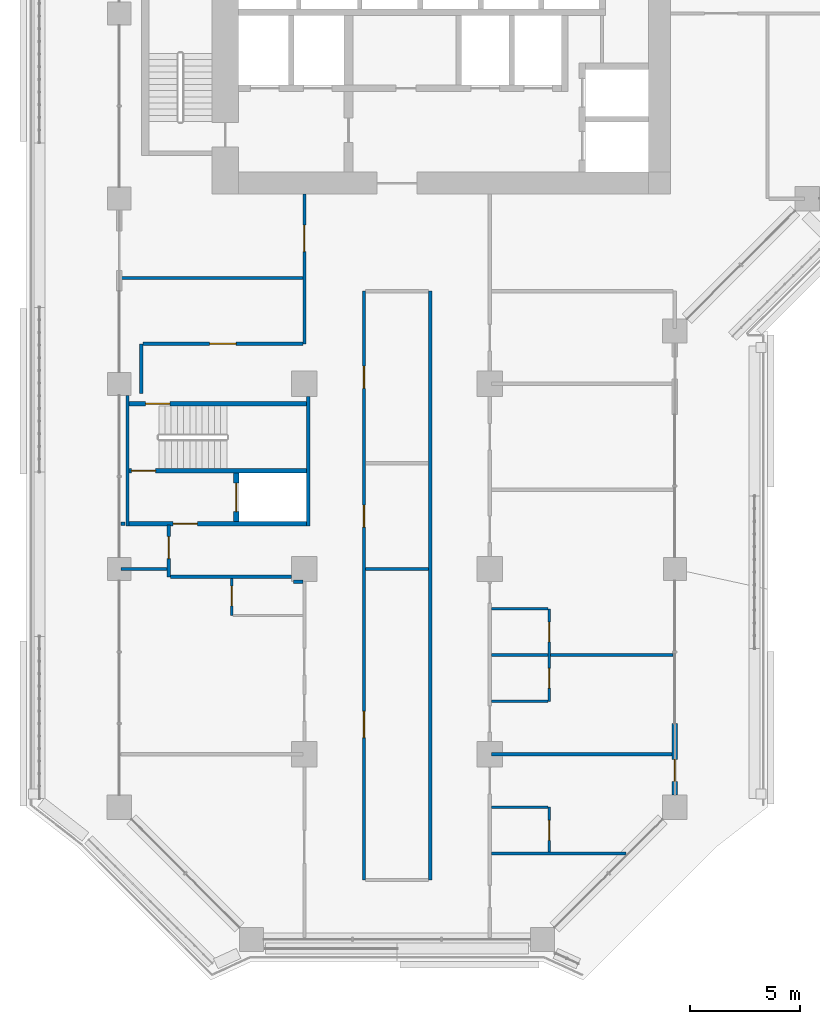
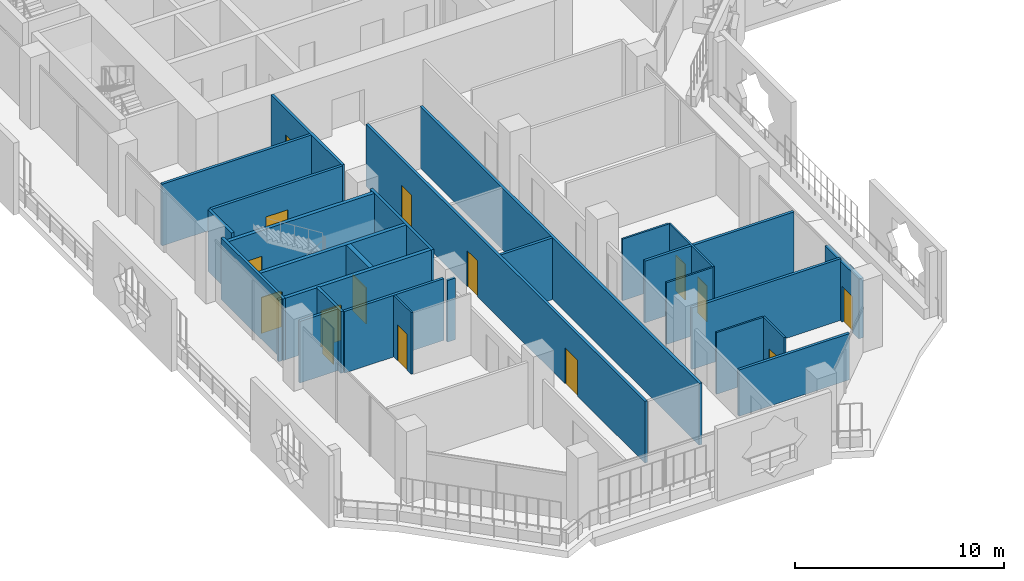
# One storey, part 12 of 25: 28 walls, 15 doors, 15 openings.
"""IFC4 building model written with IfcOpenShell, lengths in metres."""

from ifc_helpers import new_model, si_unit, direction, frame, frame_2d, origin, place, context, subcontext, project, spatial, rectangle, extrude, material, layer, layer_set, type_object, element, fill, save


model = new_model("IFC4")

# Units and contexts
model_context = context("Model", 3, precision=1e-05, world=origin(), true_north=direction((0.0, 1.0)))
body_context = subcontext(model_context, "Body", "Model", "MODEL_VIEW")
ifc_project = project(units=[si_unit("LENGTHUNIT", "METRE"), si_unit("AREAUNIT", "SQUARE_METRE"), si_unit("VOLUMEUNIT", "CUBIC_METRE"), si_unit("PLANEANGLEUNIT", "RADIAN"), si_unit("MASSUNIT", "GRAM", prefix="KILO")], contexts=[model_context])

# Site, building, storey
site_placement = place(None, origin())
site = spatial("IfcSite", under=ifc_project, at=site_placement, CompositionType="ELEMENT")
building_placement = place(site_placement, origin())
building = spatial("IfcBuilding", under=site, at=building_placement, Name="Kawkab Arch Medical Tower", CompositionType="ELEMENT")
storey_placement = place(building_placement, frame((0.0, 0.0, 145.0)))
storey = spatial("IfcBuildingStorey", under=building, at=storey_placement, Name="L33", CompositionType="ELEMENT", Elevation=145.0)

# Wall, opening, door
ifc_material_1 = material(Name="Concrete C60/75", Category="concrete")
ifc_layer_1 = layer(ifc_material_1, 0.25)
ifc_layer_set_1 = layer_set([ifc_layer_1], Name="Concrete C60/75")
wall_type_1 = type_object("IfcWallType", Name="Core shear wall 250 C60/75", PredefinedType="SHEAR", material=ifc_layer_set_1)
wall_1_placement = place(storey_placement, frame((5.300048828125, -39.85009765625, 0.0), z_axis=(0.0, 0.0, 1.0), x_axis=(0.0, 1.0, 0.0)))
wall_1 = element("IfcWall", 1, at=wall_1_placement, inside=storey, type_object=wall_type_1, Name="L33 core shear wall", PredefinedType="SHEAR", context=body_context, shape_type="SweptSolid", body=[
    extrude(rectangle(XDim=2.2001953125, YDim=0.25, at=frame_2d((1.10009765625, 0.0))), origin(), (0.0, 0.0, 1.0), 3.60009765625),
])
opening_1_placement = place(wall_1_placement, frame((0.449951171875, 0.0, 0.0)))
opening_1 = element("IfcOpeningElement", 2, at=opening_1_placement, cuts=wall_1, Name="Opening LD2", PredefinedType="OPENING", context=body_context, shape_type="SweptSolid", body=[
    extrude(rectangle(XDim=1.300048828125, YDim=2.10009765625, at=frame_2d((0.64990234375, 1.050048828125))), frame((0.0, 0.135009765625, 0.0), z_axis=(0.0, -1.0, 0.0), x_axis=(1.0, 0.0, 0.0)), (0.0, 0.0, 1.0), 0.27001953125),
])
ifc_material_2 = material(Name="Stainless steel lift door leaf", Category="steel")
door_type_1 = type_object("IfcDoorType", Name="Lift landing door 1300", OperationType="DOUBLE_DOOR_SLIDING", PredefinedType="DOOR", material=ifc_material_2)
door_1_placement = place(opening_1_placement, origin())
door_1 = element("IfcDoor", 3, at=door_1_placement, inside=storey, type_object=door_type_1, Name="L33 Lift landing door SV2", OperationType="DOUBLE_DOOR_SLIDING", OverallHeight=2.10009765625, OverallWidth=1.300048828125, PredefinedType="DOOR", context=body_context, shape_type="SweptSolid", body=[
    extrude(rectangle(XDim=1.300048828125, YDim=2.10009765625, at=frame_2d((0.64990234375, 1.050048828125))), frame((0.0, 0.02490234375, 0.0), z_axis=(0.0, -1.0, 0.0), x_axis=(1.0, 0.0, 0.0)), (0.0, 0.0, 1.0), 0.050048828125),
])
fill(opening_1, door_1)

ifc_material_3 = material(Name="Bronze clad insulated wall panel")
ifc_layer_2 = layer(ifc_material_3, 0.25)
ifc_layer_set_2 = layer_set([ifc_layer_2], Name="Bronze clad insulated wall panel")
wall_type_2 = type_object("IfcWallType", Name="External wall bay 250", PredefinedType="SOLIDWALL", material=ifc_layer_set_2)
wall_2_placement = place(storey_placement, frame((25.199951171875, -52.25, 0.0), z_axis=(0.0, 0.0, 1.0), x_axis=(0.0, 1.0, 0.0)))
wall_2 = element("IfcWall", 4, at=wall_2_placement, inside=storey, type_object=wall_type_2, Name="External wall bay L33.R05.1.1", PredefinedType="SOLIDWALL", context=body_context, shape_type="SweptSolid", body=[
    extrude(rectangle(XDim=3.24169921875, YDim=0.25, at=frame_2d((1.620849609375, 0.0))), origin(), (0.0, 0.0, 1.0), 3.47998046875),
])
opening_2_placement = place(wall_2_placement, frame((0.620849609375, 0.0, 0.0)))
opening_2 = element("IfcOpeningElement", 5, at=opening_2_placement, cuts=wall_2, Name="Opening W28-702", PredefinedType="OPENING", context=body_context, shape_type="SweptSolid", body=[
    extrude(rectangle(XDim=1.0, YDim=2.10009765625, at=frame_2d((0.5, 1.050048828125))), frame((0.0, 0.135009765625, 0.0), z_axis=(0.0, -1.0, 0.0), x_axis=(1.0, 0.0, 0.0)), (0.0, 0.0, 1.0), 0.27001953125),
])
ifc_material_4 = material(Name="Bronze anodised aluminium door with tinted glass", Category="aluminium")
door_type_2 = type_object("IfcDoorType", Name="Single external door 1000 x 2100", OperationType="SINGLE_SWING_LEFT", PredefinedType="DOOR", material=ifc_material_4)
door_2_placement = place(opening_2_placement, origin())
door_2 = element("IfcDoor", 6, at=door_2_placement, inside=storey, type_object=door_type_2, Name="External door L33.R05.1.1", OperationType="SINGLE_SWING_LEFT", OverallHeight=2.10009765625, OverallWidth=1.0, PredefinedType="DOOR", context=body_context, shape_type="SweptSolid", body=[
    extrude(rectangle(XDim=1.0, YDim=2.10009765625, at=frame_2d((0.5, 1.050048828125))), frame((0.0, 0.02490234375, 0.0), z_axis=(0.0, -1.0, 0.0), x_axis=(1.0, 0.0, 0.0)), (0.0, 0.0, 1.0), 0.050048828125),
])
fill(opening_2, door_2)

# Walls
ifc_material_5 = material(Name="Gypsum board partition on steel studs", Category="steel")
ifc_layer_3 = layer(ifc_material_5, 0.10009765625)
ifc_layer_set_3 = layer_set([ifc_layer_3], Name="Gypsum board partition on steel studs")
wall_type_3 = type_object("IfcWallType", Name="Partition 100", PredefinedType="PARTITIONING", material=ifc_layer_set_3)
for number, where, z_axis, x_axis, name in (
    (7, (16.875, -52.800048828125, 0.0), (0.0, 0.0, 1.0), (1.0, 0.0, 0.0), "Partition 100 w001"),
    (8, (16.875, -48.0, 0.0), (0.0, 0.0, 1.0), (1.0, 0.0, 0.0), "Partition 100 w002"),
):
    element("IfcWall", number, at=place(storey_placement, frame(where, z_axis=z_axis, x_axis=x_axis)), inside=storey, type_object=wall_type_3, Name=name, PredefinedType="PARTITIONING", context=body_context, shape_type="SweptSolid", body=[
        extrude(rectangle(XDim=2.574951171875, YDim=0.10009765625, at=frame_2d((1.28759765625, 0.0))), origin(), (0.0, 0.0, 1.0), 3.60009765625),
    ])
wall_3_placement = place(storey_placement, frame((16.875, -43.800048828125, 0.0), z_axis=(0.0, 0.0, 1.0), x_axis=(1.0, 0.0, 0.0)))
element("IfcWall", 9, at=wall_3_placement, inside=storey, type_object=wall_type_3, Name="Partition 100 w004", PredefinedType="PARTITIONING", context=body_context, shape_type="SweptSolid", body=[
    extrude(rectangle(XDim=2.573974609375, YDim=0.10009765625, at=frame_2d((1.287109375, 0.0))), origin(), (0.0, 0.0, 1.0), 3.60009765625),
])

# Wall, opening, door
wall_4_placement = place(storey_placement, frame((5.10009765625, -44.10009765625, 0.0), z_axis=(0.0, 0.0, 1.0), x_axis=(0.0, 1.0, 0.0)))
wall_4 = element("IfcWall", 10, at=wall_4_placement, inside=storey, type_object=wall_type_3, Name="Partition 100 w009", PredefinedType="PARTITIONING", context=body_context, shape_type="SweptSolid", body=[
    extrude(rectangle(XDim=1.675048828125, YDim=0.10009765625, at=frame_2d((0.83740234375, 0.0))), origin(), (0.0, 0.0, 1.0), 3.60009765625),
])
opening_3_placement = place(wall_4_placement, frame((0.425048828125, 0.0, 0.0)))
opening_3 = element("IfcOpeningElement", 11, at=opening_3_placement, cuts=wall_4, Name="Opening W28-013", PredefinedType="OPENING", context=body_context, shape_type="SweptSolid", body=[
    extrude(rectangle(XDim=0.89990234375, YDim=2.10009765625, at=frame_2d((0.449951171875, 1.050048828125))), frame((0.0, 0.06005859375, 0.0), z_axis=(0.0, -1.0, 0.0), x_axis=(1.0, 0.0, 0.0)), (0.0, 0.0, 1.0), 0.1201171875),
])
ifc_material_6 = material(Name="Timber door leaf", Category="wood")
door_type_3 = type_object("IfcDoorType", Name="Single door 900x2100", OperationType="NOTDEFINED", PredefinedType="DOOR", material=ifc_material_6)
door_3_placement = place(opening_3_placement, origin())
door_3 = element("IfcDoor", 12, at=door_3_placement, inside=storey, type_object=door_type_3, Name="Door W28-013", OperationType="SINGLE_SWING_LEFT", OverallHeight=2.10009765625, OverallWidth=0.89990234375, PredefinedType="DOOR", context=body_context, shape_type="SweptSolid", body=[
    extrude(rectangle(XDim=0.89990234375, YDim=2.10009765625, at=frame_2d((0.449951171875, 1.050048828125))), frame((0.0, 0.02490234375, 0.0), z_axis=(0.0, -1.0, 0.0), x_axis=(1.0, 0.0, 0.0)), (0.0, 0.0, 1.0), 0.050048828125),
])
fill(opening_3, door_3)

wall_5_placement = place(storey_placement, frame((19.5, -54.824951171875, 0.0), z_axis=(0.0, 0.0, 1.0), x_axis=(0.0, 1.0, 0.0)))
wall_5 = element("IfcWall", 13, at=wall_5_placement, inside=storey, type_object=wall_type_3, Name="Partition 100 w010", PredefinedType="PARTITIONING", context=body_context, shape_type="SweptSolid", body=[
    extrude(rectangle(XDim=2.02490234375, YDim=0.10009765625, at=frame_2d((1.012451171875, 0.0))), origin(), (0.0, 0.0, 1.0), 3.60009765625),
])
opening_4_placement = place(wall_5_placement, frame((0.52490234375, 0.0, 0.0)))
opening_4 = element("IfcOpeningElement", 14, at=opening_4_placement, cuts=wall_5, Name="Opening W28-016", PredefinedType="OPENING", context=body_context, shape_type="SweptSolid", body=[
    extrude(rectangle(XDim=0.89990234375, YDim=2.10009765625, at=frame_2d((0.449951171875, 1.050048828125))), frame((0.0, 0.06005859375, 0.0), z_axis=(0.0, -1.0, 0.0), x_axis=(1.0, 0.0, 0.0)), (0.0, 0.0, 1.0), 0.1201171875),
])
door_4_placement = place(opening_4_placement, origin())
door_4 = element("IfcDoor", 15, at=door_4_placement, inside=storey, type_object=door_type_3, Name="Door W28-016", OperationType="SINGLE_SWING_LEFT", OverallHeight=2.10009765625, OverallWidth=0.89990234375, PredefinedType="DOOR", context=body_context, shape_type="SweptSolid", body=[
    extrude(rectangle(XDim=0.89990234375, YDim=2.10009765625, at=frame_2d((0.449951171875, 1.050048828125))), frame((0.0, 0.02490234375, 0.0), z_axis=(0.0, -1.0, 0.0), x_axis=(1.0, 0.0, 0.0)), (0.0, 0.0, 1.0), 0.050048828125),
])
fill(opening_4, door_4)

# Wall, openings, doors
wall_6_placement = place(storey_placement, frame((19.5, -48.0, 0.0), z_axis=(0.0, 0.0, 1.0), x_axis=(0.0, 1.0, 0.0)))
wall_6 = element("IfcWall", 16, at=wall_6_placement, inside=storey, type_object=wall_type_3, Name="Partition 100 w011", PredefinedType="PARTITIONING", context=body_context, shape_type="SweptSolid", body=[
    extrude(rectangle(XDim=4.197998046875, YDim=0.10009765625, at=frame_2d((2.09912109375, 0.0))), origin(), (0.0, 0.0, 1.0), 3.60009765625),
])
opening_5_placement = place(wall_6_placement, frame((2.698974609375, 0.0, 0.0)))
opening_5 = element("IfcOpeningElement", 17, at=opening_5_placement, cuts=wall_6, Name="Opening W28-014", PredefinedType="OPENING", context=body_context, shape_type="SweptSolid", body=[
    extrude(rectangle(XDim=0.89990234375, YDim=2.10009765625, at=frame_2d((0.449951171875, 1.050048828125))), frame((0.0, 0.06005859375, 0.0), z_axis=(0.0, -1.0, 0.0), x_axis=(1.0, 0.0, 0.0)), (0.0, 0.0, 1.0), 0.1201171875),
])
opening_6_placement = place(wall_6_placement, frame((0.60009765625, 0.0, 0.0)))
opening_6 = element("IfcOpeningElement", 18, at=opening_6_placement, cuts=wall_6, Name="Opening W28-015", PredefinedType="OPENING", context=body_context, shape_type="SweptSolid", body=[
    extrude(rectangle(XDim=0.89990234375, YDim=2.10009765625, at=frame_2d((0.449951171875, 1.050048828125))), frame((0.0, 0.06005859375, 0.0), z_axis=(0.0, -1.0, 0.0), x_axis=(1.0, 0.0, 0.0)), (0.0, 0.0, 1.0), 0.1201171875),
])
door_5_placement = place(opening_5_placement, origin())
door_5 = element("IfcDoor", 19, at=door_5_placement, inside=storey, type_object=door_type_3, Name="Door W28-014", OperationType="SINGLE_SWING_LEFT", OverallHeight=2.10009765625, OverallWidth=0.89990234375, PredefinedType="DOOR", context=body_context, shape_type="SweptSolid", body=[
    extrude(rectangle(XDim=0.89990234375, YDim=2.10009765625, at=frame_2d((0.449951171875, 1.050048828125))), frame((0.0, 0.02490234375, 0.0), z_axis=(0.0, -1.0, 0.0), x_axis=(1.0, 0.0, 0.0)), (0.0, 0.0, 1.0), 0.050048828125),
])
fill(opening_5, door_5)
door_6_placement = place(opening_6_placement, origin())
door_6 = element("IfcDoor", 20, at=door_6_placement, inside=storey, type_object=door_type_3, Name="Door W28-015", OperationType="SINGLE_SWING_RIGHT", OverallHeight=2.10009765625, OverallWidth=0.89990234375, PredefinedType="DOOR", context=body_context, shape_type="SweptSolid", body=[
    extrude(rectangle(XDim=0.89990234375, YDim=2.10009765625, at=frame_2d((0.449951171875, 1.050048828125))), frame((0.0, 0.02490234375, 0.0), z_axis=(0.0, -1.0, 0.0), x_axis=(1.0, 0.0, 0.0)), (0.0, 0.0, 1.0), 0.050048828125),
])
fill(opening_6, door_6)

# Walls
ifc_material_7 = material(Name="Gypsum board partition on steel studs, mineral wool", Category="steel")
ifc_layer_4 = layer(ifc_material_7, 0.14990234375)
ifc_layer_set_4 = layer_set([ifc_layer_4], Name="Gypsum board partition on steel studs, mineral wool")
wall_type_4 = type_object("IfcWallType", Name="Partition 150", PredefinedType="PARTITIONING", material=ifc_layer_set_4)
wall_7_placement = place(storey_placement, frame((16.875, -54.89990234375, 0.0), z_axis=(0.0, 0.0, 1.0), x_axis=(1.0, 0.0, 0.0)))
element("IfcWall", 21, at=wall_7_placement, inside=storey, type_object=wall_type_4, Name="Partition 150 w020", PredefinedType="PARTITIONING", context=body_context, shape_type="SweptSolid", body=[
    extrude(rectangle(XDim=6.112060546875, YDim=0.14990234375, at=frame_2d((3.05615234375, 0.0))), origin(), (0.0, 0.0, 1.0), 2.699951171875),
])
for number, where, z_axis, x_axis, name in (
    (22, (16.875, -50.39990234375, 0.0), (0.0, 0.0, 1.0), (1.0, 0.0, 0.0), "Partition 150 w022"),
    (23, (16.875, -45.89990234375, 0.0), (0.0, 0.0, 1.0), (1.0, 0.0, 0.0), "Partition 150 w023"),
):
    element("IfcWall", number, at=place(storey_placement, frame(where, z_axis=z_axis, x_axis=x_axis)), inside=storey, type_object=wall_type_4, Name=name, PredefinedType="PARTITIONING", context=body_context, shape_type="SweptSolid", body=[
        extrude(rectangle(XDim=8.2451171875, YDim=0.14990234375, at=frame_2d((4.12255859375, 0.0))), origin(), (0.0, 0.0, 1.0), 3.60009765625),
    ])
wall_8_placement = place(storey_placement, frame((7.89990234375, -42.574951171875, 0.0), z_axis=(0.0, 0.0, 1.0), x_axis=(1.0, 0.0, 0.0)))
element("IfcWall", 24, at=wall_8_placement, inside=storey, type_object=wall_type_4, Name="Partition 150 w024", PredefinedType="PARTITIONING", context=body_context, shape_type="SweptSolid", body=[
    extrude(rectangle(XDim=0.425048828125, YDim=0.14990234375, at=frame_2d((0.21240234375, 0.0))), origin(), (0.0, 0.0, 1.0), 3.60009765625),
])
wall_9_placement = place(storey_placement, frame((2.324951171875, -42.35009765625, 0.0), z_axis=(0.0, 0.0, 1.0), x_axis=(1.0, 0.0, 0.0)))
element("IfcWall", 25, at=wall_9_placement, inside=storey, type_object=wall_type_4, Name="Partition 150 w025", PredefinedType="PARTITIONING", context=body_context, shape_type="SweptSolid", body=[
    extrude(rectangle(XDim=5.498046875, YDim=0.14990234375, at=frame_2d((2.7490234375, 0.0))), origin(), (0.0, 0.0, 1.0), 3.60009765625),
])
wall_10_placement = place(storey_placement, frame((0.080078125, -42.0, 0.0), z_axis=(0.0, 0.0, 1.0), x_axis=(1.0, 0.0, 0.0)))
element("IfcWall", 26, at=wall_10_placement, inside=storey, type_object=wall_type_4, Name="Partition 150 w026", PredefinedType="PARTITIONING", context=body_context, shape_type="SweptSolid", body=[
    extrude(rectangle(XDim=2.094970703125, YDim=0.14990234375, at=frame_2d((1.04736328125, 0.0))), origin(), (0.0, 0.0, 1.0), 3.60009765625),
])
wall_11_placement = place(storey_placement, frame((11.175048828125, -42.0, 0.0), z_axis=(0.0, 0.0, 1.0), x_axis=(1.0, 0.0, 0.0)))
element("IfcWall", 27, at=wall_11_placement, inside=storey, type_object=wall_type_4, Name="Partition 150 w027", PredefinedType="PARTITIONING", context=body_context, shape_type="SweptSolid", body=[
    extrude(rectangle(XDim=2.849853515625, YDim=0.14990234375, at=frame_2d((1.4248046875, 0.0))), origin(), (0.0, 0.0, 1.0), 3.60009765625),
])
wall_12_placement = place(storey_placement, frame((0.080078125, -39.949951171875, 0.0), z_axis=(0.0, 0.0, 1.0), x_axis=(1.0, 0.0, 0.0)))
element("IfcWall", 28, at=wall_12_placement, inside=storey, type_object=wall_type_4, Name="Partition 150 w028", PredefinedType="PARTITIONING", context=body_context, shape_type="SweptSolid", body=[
    extrude(rectangle(XDim=0.18994140625, YDim=0.14990234375, at=frame_2d((0.094970703125, 0.0))), origin(), (0.0, 0.0, 1.0), 3.60009765625),
])

# Wall, opening, door
wall_13_placement = place(storey_placement, frame((1.076904296875, -31.781982421875, 0.0), z_axis=(0.0, 0.0, 1.0), x_axis=(1.0, 0.0, 0.0)))
wall_13 = element("IfcWall", 29, at=wall_13_placement, inside=storey, type_object=wall_type_4, Name="Partition 150 w032", PredefinedType="PARTITIONING", context=body_context, shape_type="SweptSolid", body=[
    extrude(rectangle(XDim=7.248046875, YDim=0.14990234375, at=frame_2d((3.6240234375, 0.0))), origin(), (0.0, 0.0, 1.0), 3.60009765625),
])
opening_7_placement = place(wall_13_placement, frame((3.02392578125, 0.0, 0.0)))
opening_7 = element("IfcOpeningElement", 30, at=opening_7_placement, cuts=wall_13, Name="Opening W28-044", PredefinedType="OPENING", context=body_context, shape_type="SweptSolid", body=[
    extrude(rectangle(XDim=1.199951171875, YDim=2.10009765625, at=frame_2d((0.60009765625, 1.050048828125))), frame((0.0, 0.0849609375, 0.0), z_axis=(0.0, -1.0, 0.0), x_axis=(1.0, 0.0, 0.0)), (0.0, 0.0, 1.0), 0.169921875),
])
ifc_material_8 = material(Name="Hollow metal door leaf")
door_type_4 = type_object("IfcDoorType", Name="Single door 1200x2100 FD30S", OperationType="NOTDEFINED", PredefinedType="DOOR", material=ifc_material_8)
door_7_placement = place(opening_7_placement, origin())
door_7 = element("IfcDoor", 31, at=door_7_placement, inside=storey, type_object=door_type_4, Name="Door W28-044", OperationType="SINGLE_SWING_LEFT", OverallHeight=2.10009765625, OverallWidth=1.199951171875, PredefinedType="DOOR", context=body_context, shape_type="SweptSolid", body=[
    extrude(rectangle(XDim=1.199951171875, YDim=2.10009765625, at=frame_2d((0.60009765625, 1.050048828125))), frame((0.0, 0.02490234375, 0.0), z_axis=(0.0, -1.0, 0.0), x_axis=(1.0, 0.0, 0.0)), (0.0, 0.0, 1.0), 0.050048828125),
])
fill(opening_7, door_7)

# Walls
wall_14_placement = place(storey_placement, frame((0.080078125, -28.800048828125, 0.0), z_axis=(0.0, 0.0, 1.0), x_axis=(1.0, 0.0, 0.0)))
element("IfcWall", 32, at=wall_14_placement, inside=storey, type_object=wall_type_4, Name="Partition 150 w035", PredefinedType="PARTITIONING", context=body_context, shape_type="SweptSolid", body=[
    extrude(rectangle(XDim=8.244873046875, YDim=0.14990234375, at=frame_2d((4.12255859375, 0.0))), origin(), (0.0, 0.0, 1.0), 3.60009765625),
])
wall_15_placement = place(storey_placement, frame((1.0, -34.048095703125, 0.0), z_axis=(0.0, 0.0, 1.0), x_axis=(0.0, 1.0, 0.0)))
element("IfcWall", 33, at=wall_15_placement, inside=storey, type_object=wall_type_4, Name="Partition 150 w053", PredefinedType="PARTITIONING", context=body_context, shape_type="SweptSolid", body=[
    extrude(rectangle(XDim=2.26513671875, YDim=0.14990234375, at=frame_2d((1.132568359375, 0.0))), origin(), (0.0, 0.0, 1.0), 3.60009765625),
])

# Wall, opening, door
wall_16_placement = place(storey_placement, frame((2.25, -42.35009765625, 0.0), z_axis=(0.0, 0.0, 1.0), x_axis=(0.0, 1.0, 0.0)))
wall_16 = element("IfcWall", 34, at=wall_16_placement, inside=storey, type_object=wall_type_4, Name="Partition 150 w054", PredefinedType="PARTITIONING", context=body_context, shape_type="SweptSolid", body=[
    extrude(rectangle(XDim=2.35009765625, YDim=0.14990234375, at=frame_2d((1.175048828125, 0.0))), origin(), (0.0, 0.0, 1.0), 3.60009765625),
])
opening_8_placement = place(wall_16_placement, frame((0.824951171875, 0.0, 0.0)))
opening_8 = element("IfcOpeningElement", 35, at=opening_8_placement, cuts=wall_16, Name="Opening W28-030", PredefinedType="OPENING", context=body_context, shape_type="SweptSolid", body=[
    extrude(rectangle(XDim=1.0, YDim=2.10009765625, at=frame_2d((0.5, 1.050048828125))), frame((0.0, 0.0849609375, 0.0), z_axis=(0.0, -1.0, 0.0), x_axis=(1.0, 0.0, 0.0)), (0.0, 0.0, 1.0), 0.169921875),
])
ifc_material_9 = material(Name="Hollow metal door leaf")
door_type_5 = type_object("IfcDoorType", Name="Single door 1000x2100 FD30S", OperationType="NOTDEFINED", PredefinedType="DOOR", material=ifc_material_9)
door_8_placement = place(opening_8_placement, origin())
door_8 = element("IfcDoor", 36, at=door_8_placement, inside=storey, type_object=door_type_5, Name="Door W28-030", OperationType="SINGLE_SWING_RIGHT", OverallHeight=2.10009765625, OverallWidth=1.0, PredefinedType="DOOR", context=body_context, shape_type="SweptSolid", body=[
    extrude(rectangle(XDim=1.0, YDim=2.10009765625, at=frame_2d((0.5, 1.050048828125))), frame((0.0, 0.02490234375, 0.0), z_axis=(0.0, -1.0, 0.0), x_axis=(1.0, 0.0, 0.0)), (0.0, 0.0, 1.0), 0.050048828125),
])
fill(opening_8, door_8)

wall_17_placement = place(storey_placement, frame((8.39990234375, -31.781982421875, 0.0), z_axis=(0.0, 0.0, 1.0), x_axis=(0.0, 1.0, 0.0)))
wall_17 = element("IfcWall", 37, at=wall_17_placement, inside=storey, type_object=wall_type_4, Name="Partition 150 w056", PredefinedType="PARTITIONING", context=body_context, shape_type="SweptSolid", body=[
    extrude(rectangle(XDim=6.781982421875, YDim=0.14990234375, at=frame_2d((3.39111328125, 0.0))), origin(), (0.0, 0.0, 1.0), 3.60009765625),
])
opening_9_placement = place(wall_17_placement, frame((4.181884765625, 0.0, 0.0)))
opening_9 = element("IfcOpeningElement", 38, at=opening_9_placement, cuts=wall_17, Name="Opening W28-043", PredefinedType="OPENING", context=body_context, shape_type="SweptSolid", body=[
    extrude(rectangle(XDim=1.199951171875, YDim=2.10009765625, at=frame_2d((0.60009765625, 1.050048828125))), frame((0.0, 0.0849609375, 0.0), z_axis=(0.0, -1.0, 0.0), x_axis=(1.0, 0.0, 0.0)), (0.0, 0.0, 1.0), 0.169921875),
])
door_9_placement = place(opening_9_placement, origin())
door_9 = element("IfcDoor", 39, at=door_9_placement, inside=storey, type_object=door_type_4, Name="Door W28-043", OperationType="SINGLE_SWING_RIGHT", OverallHeight=2.10009765625, OverallWidth=1.199951171875, PredefinedType="DOOR", context=body_context, shape_type="SweptSolid", body=[
    extrude(rectangle(XDim=1.199951171875, YDim=2.10009765625, at=frame_2d((0.60009765625, 1.050048828125))), frame((0.0, 0.02490234375, 0.0), z_axis=(0.0, -1.0, 0.0), x_axis=(1.0, 0.0, 0.0)), (0.0, 0.0, 1.0), 0.050048828125),
])
fill(opening_9, door_9)

# Wall, openings, doors
wall_18_placement = place(storey_placement, frame((11.10009765625, -56.10009765625, 0.0), z_axis=(0.0, 0.0, 1.0), x_axis=(0.0, 1.0, 0.0)))
wall_18 = element("IfcWall", 40, at=wall_18_placement, inside=storey, type_object=wall_type_4, Name="Partition 150 w057", PredefinedType="PARTITIONING", context=body_context, shape_type="SweptSolid", body=[
    extrude(rectangle(XDim=26.7001953125, YDim=0.14990234375, at=frame_2d((13.35009765625, 0.0))), origin(), (0.0, 0.0, 1.0), 3.60009765625),
])
opening_10_placement = place(wall_18_placement, frame((22.300048828125, 0.0, 0.0)))
opening_10 = element("IfcOpeningElement", 41, at=opening_10_placement, cuts=wall_18, Name="Opening W28-031", PredefinedType="OPENING", context=body_context, shape_type="SweptSolid", body=[
    extrude(rectangle(XDim=1.0, YDim=2.10009765625, at=frame_2d((0.5, 1.050048828125))), frame((0.0, 0.0849609375, 0.0), z_axis=(0.0, -1.0, 0.0), x_axis=(1.0, 0.0, 0.0)), (0.0, 0.0, 1.0), 0.169921875),
])
opening_11_placement = place(wall_18_placement, frame((16.0, 0.0, 0.0)))
opening_11 = element("IfcOpeningElement", 42, at=opening_11_placement, cuts=wall_18, Name="Opening W28-032", PredefinedType="OPENING", context=body_context, shape_type="SweptSolid", body=[
    extrude(rectangle(XDim=1.0, YDim=2.10009765625, at=frame_2d((0.5, 1.050048828125))), frame((0.0, 0.0849609375, 0.0), z_axis=(0.0, -1.0, 0.0), x_axis=(1.0, 0.0, 0.0)), (0.0, 0.0, 1.0), 0.169921875),
])
opening_12_placement = place(wall_18_placement, frame((6.449951171875, 0.0, 0.0)))
opening_12 = element("IfcOpeningElement", 43, at=opening_12_placement, cuts=wall_18, Name="Opening W28-047", PredefinedType="OPENING", context=body_context, shape_type="SweptSolid", body=[
    extrude(rectangle(XDim=1.199951171875, YDim=2.10009765625, at=frame_2d((0.60009765625, 1.050048828125))), frame((0.0, 0.0849609375, 0.0), z_axis=(0.0, -1.0, 0.0), x_axis=(1.0, 0.0, 0.0)), (0.0, 0.0, 1.0), 0.169921875),
])
door_10_placement = place(opening_10_placement, origin())
door_10 = element("IfcDoor", 44, at=door_10_placement, inside=storey, type_object=door_type_5, Name="Door W28-031", OperationType="SINGLE_SWING_LEFT", OverallHeight=2.10009765625, OverallWidth=1.0, PredefinedType="DOOR", context=body_context, shape_type="SweptSolid", body=[
    extrude(rectangle(XDim=1.0, YDim=2.10009765625, at=frame_2d((0.5, 1.050048828125))), frame((0.0, 0.02490234375, 0.0), z_axis=(0.0, -1.0, 0.0), x_axis=(1.0, 0.0, 0.0)), (0.0, 0.0, 1.0), 0.050048828125),
])
fill(opening_10, door_10)
door_11_placement = place(opening_11_placement, origin())
door_11 = element("IfcDoor", 45, at=door_11_placement, inside=storey, type_object=door_type_5, Name="Door W28-032", OperationType="SINGLE_SWING_LEFT", OverallHeight=2.10009765625, OverallWidth=1.0, PredefinedType="DOOR", context=body_context, shape_type="SweptSolid", body=[
    extrude(rectangle(XDim=1.0, YDim=2.10009765625, at=frame_2d((0.5, 1.050048828125))), frame((0.0, 0.02490234375, 0.0), z_axis=(0.0, -1.0, 0.0), x_axis=(1.0, 0.0, 0.0)), (0.0, 0.0, 1.0), 0.050048828125),
])
fill(opening_11, door_11)
door_12_placement = place(opening_12_placement, origin())
door_12 = element("IfcDoor", 46, at=door_12_placement, inside=storey, type_object=door_type_4, Name="Door W28-047", OperationType="SINGLE_SWING_RIGHT", OverallHeight=2.10009765625, OverallWidth=1.199951171875, PredefinedType="DOOR", context=body_context, shape_type="SweptSolid", body=[
    extrude(rectangle(XDim=1.199951171875, YDim=2.10009765625, at=frame_2d((0.60009765625, 1.050048828125))), frame((0.0, 0.02490234375, 0.0), z_axis=(0.0, -1.0, 0.0), x_axis=(1.0, 0.0, 0.0)), (0.0, 0.0, 1.0), 0.050048828125),
])
fill(opening_12, door_12)

# Walls
wall_19_placement = place(storey_placement, frame((14.10009765625, -56.10009765625, 0.0), z_axis=(0.0, 0.0, 1.0), x_axis=(0.0, 1.0, 0.0)))
element("IfcWall", 47, at=wall_19_placement, inside=storey, type_object=wall_type_4, Name="Partition 150 w058", PredefinedType="PARTITIONING", context=body_context, shape_type="SweptSolid", body=[
    extrude(rectangle(XDim=26.7001953125, YDim=0.14990234375, at=frame_2d((13.35009765625, 0.0))), origin(), (0.0, 0.0, 1.0), 3.60009765625),
])
ifc_material_10 = material(Name="Concrete C50/60", Category="concrete")
ifc_layer_5 = layer(ifc_material_10, 0.14990234375)
ifc_layer_set_5 = layer_set([ifc_layer_5], Name="Concrete C50/60")
wall_type_5 = type_object("IfcWallType", Name="Stair enclosure wall 150 C50/60", PredefinedType="SHEAR", material=ifc_layer_set_5)
wall_20_placement = place(storey_placement, frame((0.375, -40.050048828125, 0.0), z_axis=(0.0, 0.0, 1.0), x_axis=(0.0, 1.0, 0.0)))
element("IfcWall", 48, at=wall_20_placement, inside=storey, type_object=wall_type_5, Name="L33 stair enclosure wall", PredefinedType="SHEAR", context=body_context, shape_type="SweptSolid", body=[
    extrude(rectangle(XDim=5.925048828125, YDim=0.14990234375, at=frame_2d((2.96240234375, 0.0))), origin(), (0.0, 0.0, 1.0), 3.60009765625),
])
wall_21_placement = place(storey_placement, frame((8.574951171875, -40.050048828125, 0.0), z_axis=(0.0, 0.0, 1.0), x_axis=(0.0, 1.0, 0.0)))
element("IfcWall", 49, at=wall_21_placement, inside=storey, type_object=wall_type_5, Name="L33 stair enclosure wall", PredefinedType="SHEAR", context=body_context, shape_type="SweptSolid", body=[
    extrude(rectangle(XDim=5.875, YDim=0.14990234375, at=frame_2d((2.9375, 0.0))), origin(), (0.0, 0.0, 1.0), 3.60009765625),
])

# Wall, opening, door
ifc_material_11 = material(Name="Concrete C50/60", Category="concrete")
ifc_layer_6 = layer(ifc_material_11, 0.199951171875)
ifc_layer_set_6 = layer_set([ifc_layer_6], Name="Concrete C50/60")
wall_type_6 = type_object("IfcWallType", Name="Stair enclosure wall 200 C50/60", PredefinedType="SHEAR", material=ifc_layer_set_6)
wall_22_placement = place(storey_placement, frame((0.449951171875, -34.5, 0.0), z_axis=(0.0, 0.0, 1.0), x_axis=(1.0, 0.0, 0.0)))
wall_22 = element("IfcWall", 50, at=wall_22_placement, inside=storey, type_object=wall_type_6, Name="L33 stair enclosure wall", PredefinedType="SHEAR", context=body_context, shape_type="SweptSolid", body=[
    extrude(rectangle(XDim=8.050048828125, YDim=0.199951171875, at=frame_2d((4.02490234375, 0.0))), origin(), (0.0, 0.0, 1.0), 3.60009765625),
])
opening_13_placement = place(wall_22_placement, frame((0.75, 0.0, 0.0)))
opening_13 = element("IfcOpeningElement", 51, at=opening_13_placement, cuts=wall_22, Name="Opening SD", PredefinedType="OPENING", context=body_context, shape_type="SweptSolid", body=[
    extrude(rectangle(XDim=1.10009765625, YDim=2.10009765625, at=frame_2d((0.550048828125, 1.050048828125))), frame((0.0, 0.10986328125, 0.0), z_axis=(0.0, -1.0, 0.0), x_axis=(1.0, 0.0, 0.0)), (0.0, 0.0, 1.0), 0.219970703125),
])
ifc_material_12 = material(Name="Hollow metal fire door leaf")
door_type_6 = type_object("IfcDoorType", Name="Exit stair door 1100", OperationType="SINGLE_SWING_LEFT", PredefinedType="DOOR", material=ifc_material_12)
door_13_placement = place(opening_13_placement, origin())
door_13 = element("IfcDoor", 52, at=door_13_placement, inside=storey, type_object=door_type_6, Name="L33 Exit stair ST6 door", OperationType="SINGLE_SWING_LEFT", OverallHeight=2.10009765625, OverallWidth=1.10009765625, PredefinedType="DOOR", context=body_context, shape_type="SweptSolid", body=[
    extrude(rectangle(XDim=1.10009765625, YDim=2.10009765625, at=frame_2d((0.550048828125, 1.050048828125))), frame((0.0, 0.02490234375, 0.0), z_axis=(0.0, -1.0, 0.0), x_axis=(1.0, 0.0, 0.0)), (0.0, 0.0, 1.0), 0.050048828125),
])
fill(opening_13, door_13)

wall_23_placement = place(storey_placement, frame((0.449951171875, -37.550048828125, 0.0), z_axis=(0.0, 0.0, 1.0), x_axis=(1.0, 0.0, 0.0)))
wall_23 = element("IfcWall", 53, at=wall_23_placement, inside=storey, type_object=wall_type_6, Name="L33 stair enclosure wall", PredefinedType="SHEAR", context=body_context, shape_type="SweptSolid", body=[
    extrude(rectangle(XDim=8.050048828125, YDim=0.199951171875, at=frame_2d((4.02490234375, 0.0))), origin(), (0.0, 0.0, 1.0), 3.60009765625),
])
opening_14_placement = place(wall_23_placement, frame((0.10009765625, 0.0, 0.0)))
opening_14 = element("IfcOpeningElement", 54, at=opening_14_placement, cuts=wall_23, Name="Opening SD", PredefinedType="OPENING", context=body_context, shape_type="SweptSolid", body=[
    extrude(rectangle(XDim=1.10009765625, YDim=2.10009765625, at=frame_2d((0.550048828125, 1.050048828125))), frame((0.0, 0.10986328125, 0.0), z_axis=(0.0, -1.0, 0.0), x_axis=(1.0, 0.0, 0.0)), (0.0, 0.0, 1.0), 0.219970703125),
])
door_14_placement = place(opening_14_placement, frame((1.10009765625, 0.0, 0.0), z_axis=(0.0, 0.0, 1.0), x_axis=(-1.0, 0.0, 0.0)))
door_14 = element("IfcDoor", 55, at=door_14_placement, inside=storey, type_object=door_type_6, Name="L33 Exit stair ST6 lobby door", OperationType="SINGLE_SWING_LEFT", OverallHeight=2.10009765625, OverallWidth=1.10009765625, PredefinedType="DOOR", context=body_context, shape_type="SweptSolid", body=[
    extrude(rectangle(XDim=1.10009765625, YDim=2.10009765625, at=frame_2d((0.550048828125, 1.050048828125))), frame((0.0, 0.02490234375, 0.0), z_axis=(0.0, -1.0, 0.0), x_axis=(1.0, 0.0, 0.0)), (0.0, 0.0, 1.0), 0.050048828125),
])
fill(opening_14, door_14)

wall_24_placement = place(storey_placement, frame((0.449951171875, -39.949951171875, 0.0), z_axis=(0.0, 0.0, 1.0), x_axis=(1.0, 0.0, 0.0)))
wall_24 = element("IfcWall", 56, at=wall_24_placement, inside=storey, type_object=wall_type_6, Name="L33 stair enclosure wall", PredefinedType="SHEAR", context=body_context, shape_type="SweptSolid", body=[
    extrude(rectangle(XDim=8.050048828125, YDim=0.199951171875, at=frame_2d((4.02490234375, 0.0))), origin(), (0.0, 0.0, 1.0), 3.60009765625),
])
opening_15_placement = place(wall_24_placement, frame((2.0, 0.0, 0.0)))
opening_15 = element("IfcOpeningElement", 57, at=opening_15_placement, cuts=wall_24, Name="Opening FD", PredefinedType="OPENING", context=body_context, shape_type="SweptSolid", body=[
    extrude(rectangle(XDim=1.10009765625, YDim=2.10009765625, at=frame_2d((0.550048828125, 1.050048828125))), frame((0.0, 0.10986328125, 0.0), z_axis=(0.0, -1.0, 0.0), x_axis=(1.0, 0.0, 0.0)), (0.0, 0.0, 1.0), 0.219970703125),
])
ifc_material_13 = material(Name="Hollow metal fire door leaf")
door_type_7 = type_object("IfcDoorType", Name="Firefighting lobby door 1100", OperationType="SINGLE_SWING_LEFT", PredefinedType="DOOR", material=ifc_material_13)
door_15_placement = place(opening_15_placement, origin())
door_15 = element("IfcDoor", 58, at=door_15_placement, inside=storey, type_object=door_type_7, Name="L33 Service lift lobby door SV2", OperationType="SINGLE_SWING_LEFT", OverallHeight=2.10009765625, OverallWidth=1.10009765625, PredefinedType="DOOR", context=body_context, shape_type="SweptSolid", body=[
    extrude(rectangle(XDim=1.10009765625, YDim=2.10009765625, at=frame_2d((0.550048828125, 1.050048828125))), frame((0.0, 0.02490234375, 0.0), z_axis=(0.0, -1.0, 0.0), x_axis=(1.0, 0.0, 0.0)), (0.0, 0.0, 1.0), 0.050048828125),
])
fill(opening_15, door_15)

save(model, "model.ifc")
